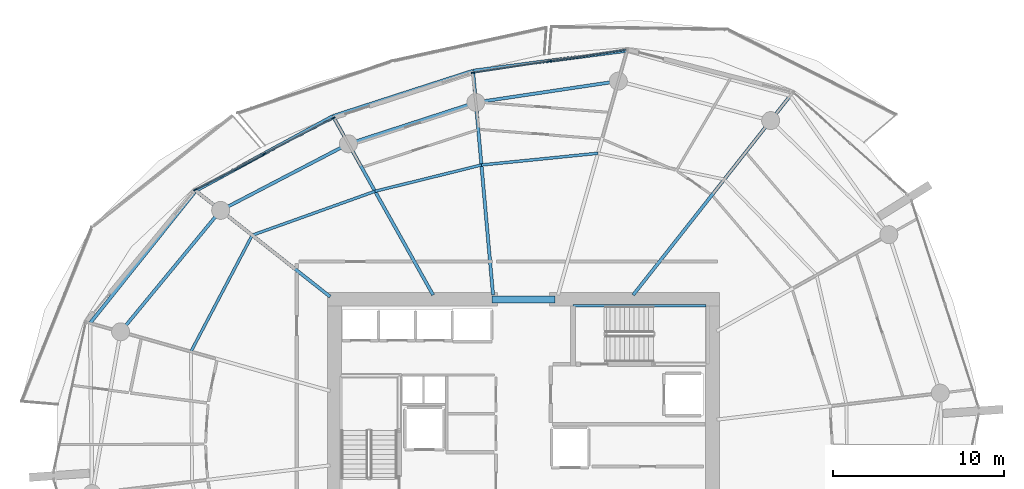
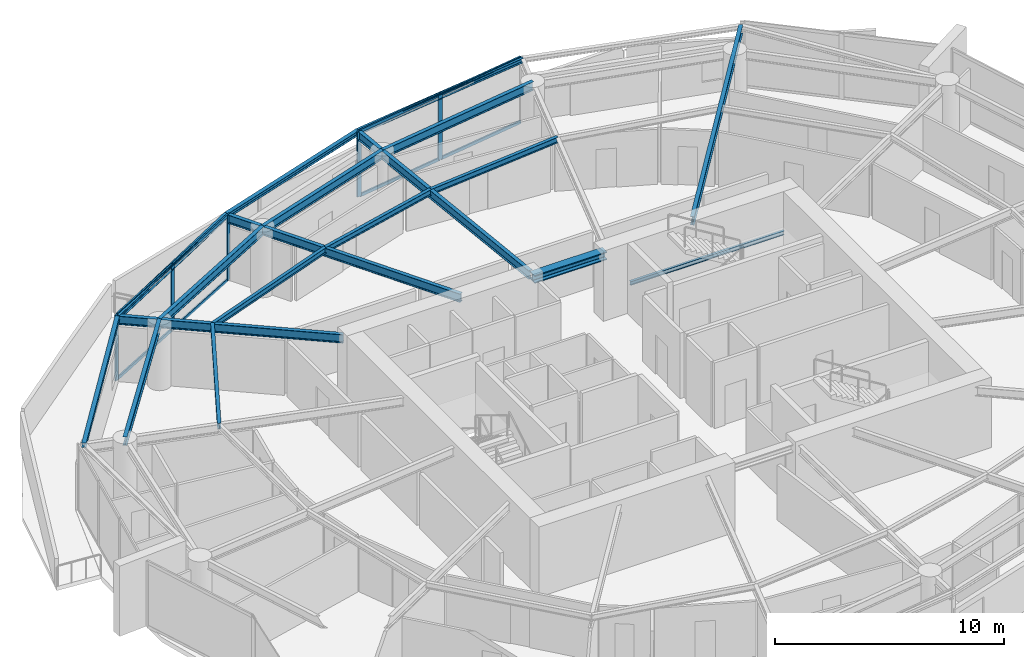
# One storey, part 8 of 20: 18 beams, 13 members, 2 elements without a shape of their own.
"""IFC4 building model written with IfcOpenShell, lengths in metres."""

from ifc_helpers import new_model, si_unit, direction, frame, origin, origin_2d, place, context, subcontext, project, spatial, rectangle, i_section, extrude, material, layer, layer_set, material_profile, profile_set, type_object, element, aggregate, save


model = new_model("IFC4")

# Units and contexts
model_context = context("Model", 3, precision=1e-05, world=origin(), true_north=direction((0.0, 1.0)))
body_context = subcontext(model_context, "Body", "Model", "MODEL_VIEW")
ifc_project = project(units=[si_unit("LENGTHUNIT", "METRE"), si_unit("AREAUNIT", "SQUARE_METRE"), si_unit("VOLUMEUNIT", "CUBIC_METRE"), si_unit("PLANEANGLEUNIT", "RADIAN"), si_unit("MASSUNIT", "GRAM", prefix="KILO")], contexts=[model_context])

# Site, building, storey
site_placement = place(None, origin())
site = spatial("IfcSite", under=ifc_project, at=site_placement, CompositionType="ELEMENT")
building_placement = place(site_placement, origin())
building = spatial("IfcBuilding", under=site, at=building_placement, Name="Kazma Halo Residences", CompositionType="ELEMENT")
storey_placement = place(building_placement, frame((0.0, 0.0, 142.800048828125)))
storey = spatial("IfcBuildingStorey", under=building, at=storey_placement, Name="L35", CompositionType="ELEMENT", Elevation=142.800048828125)

# Beams
ifc_material_1 = material(Name="Steel S355", Category="steel")
ifc_material_profile_1 = material_profile(ifc_material_1, i_section(OverallWidth=0.201904296875, OverallDepth=0.2470703125, WebThickness=0.00732421875, FlangeThickness=0.010986328125, FilletRadius=0.011962890625, at=origin_2d()), Name="W250x49.1")
ifc_profile_set_1 = profile_set([ifc_material_profile_1], Name="Steel S355")
beam_type_1 = type_object("IfcBeamType", Name="BM-BAL-CANT", PredefinedType="BEAM", material=ifc_profile_set_1)
beam_1_placement = place(storey_placement, frame((54.459228515625, 64.90234375, 3.37646484375), z_axis=(-0.991489228614, -0.130188745839, 0.0), x_axis=(0.130188745839, -0.991489228614, 0.0)))
element("IfcBeam", 1, at=beam_1_placement, inside=storey, type_object=beam_type_1, Name="L35 wave-balcony tie beam 03", PredefinedType="BEAM", context=body_context, shape_type="SweptSolid", body=[
    extrude(i_section(OverallWidth=0.201904296875, OverallDepth=0.2470703125, WebThickness=0.00732421875, FlangeThickness=0.010986328125, FilletRadius=0.011962890625, at=origin_2d()), origin(), (0.0, 0.0, 1.0), 9.053955078125),
])
beam_2_placement = place(storey_placement, frame((45.482421875, 63.7236328125, 3.37646484375), z_axis=(-0.951458235255, -0.307777885115, 0.0), x_axis=(0.307777885115, -0.951458235255, 0.0)))
element("IfcBeam", 2, at=beam_2_placement, inside=storey, type_object=beam_type_1, Name="L35 wave-balcony tie beam 04", PredefinedType="BEAM", context=body_context, shape_type="SweptSolid", body=[
    extrude(i_section(OverallWidth=0.201904296875, OverallDepth=0.2470703125, WebThickness=0.00732421875, FlangeThickness=0.010986328125, FilletRadius=0.011962890625, at=origin_2d()), origin(), (0.0, 0.0, 1.0), 8.585205078125),
])
beam_3_placement = place(storey_placement, frame((37.31396484375, 61.081298828125, 3.37646484375), z_axis=(-0.878572913315, -0.477608245312, 0.0), x_axis=(0.477608245312, -0.878572913315, 0.0)))
element("IfcBeam", 3, at=beam_3_placement, inside=storey, type_object=beam_type_1, Name="L35 wave-balcony tie beam 05", PredefinedType="BEAM", context=body_context, shape_type="SweptSolid", body=[
    extrude(i_section(OverallWidth=0.201904296875, OverallDepth=0.2470703125, WebThickness=0.00732421875, FlangeThickness=0.010986328125, FilletRadius=0.011962890625, at=origin_2d()), origin(), (0.0, 0.0, 1.0), 9.107177734375),
])
beam_4_placement = place(storey_placement, frame((29.312744140625, 56.731689453125, 3.37646484375), z_axis=(-0.623742400336, -0.781629975131, 0.0), x_axis=(0.781629975131, -0.623742400336, 0.0)))
element("IfcBeam", 4, at=beam_4_placement, inside=storey, type_object=beam_type_1, Name="L35 wave-balcony tie beam 06", PredefinedType="BEAM", context=body_context, shape_type="SweptSolid", body=[
    extrude(i_section(OverallWidth=0.201904296875, OverallDepth=0.2470703125, WebThickness=0.00732421875, FlangeThickness=0.010986328125, FilletRadius=0.011962890625, at=origin_2d()), origin(), (0.0, 0.0, 1.0), 9.880859375),
])
ifc_material_profile_2 = material_profile(ifc_material_1, i_section(OverallWidth=0.408935546875, OverallDepth=0.425048828125, WebThickness=0.03271484375, FlangeThickness=0.052490234375, FilletRadius=0.02001953125, at=origin_2d()), Name="W360x421")
ifc_profile_set_2 = profile_set([ifc_material_profile_2], Name="Steel S355")
beam_type_2 = type_object("IfcBeamType", Name="BM-CORE-W360H", PredefinedType="BEAM", material=ifc_profile_set_2)
beam_5_placement = place(storey_placement, frame((46.60009765625, 50.39990234375, 3.287353515625), z_axis=(1.0, 0.0, 0.0), x_axis=(0.0, 1.0, 0.0)))
element("IfcBeam", 5, at=beam_5_placement, inside=storey, type_object=beam_type_2, Name="L35 core coupling beam N", PredefinedType="BEAM", context=body_context, shape_type="SweptSolid", body=[
    extrude(i_section(OverallWidth=0.408935546875, OverallDepth=0.425048828125, WebThickness=0.03271484375, FlangeThickness=0.052490234375, FilletRadius=0.02001953125, at=origin_2d()), origin(), (0.0, 0.0, 1.0), 3.64990234375),
])
ifc_material_profile_3 = material_profile(ifc_material_1, i_section(OverallWidth=0.18994140625, OverallDepth=0.45703125, WebThickness=0.009033203125, FlangeThickness=0.014404296875, FilletRadius=0.01611328125, at=origin_2d()), Name="W460x74")
ifc_profile_set_3 = profile_set([ifc_material_profile_3], Name="Steel S355")
beam_type_3 = type_object("IfcBeamType", Name="BM-RAD-W460", PredefinedType="BEAM", material=ifc_profile_set_3)
beam_6_placement = place(storey_placement, frame((54.819091796875, 50.64990234375, 3.271484375), z_axis=(0.619094498239, 0.785316498139, 0.0), x_axis=(-0.785316498139, 0.619094498239, 0.0)))
element("IfcBeam", 6, at=beam_6_placement, inside=storey, type_object=beam_type_3, Name="L35 radial floor beam 02", PredefinedType="BEAM", context=body_context, shape_type="SweptSolid", body=[
    extrude(i_section(OverallWidth=0.18994140625, OverallDepth=0.45703125, WebThickness=0.009033203125, FlangeThickness=0.014404296875, FilletRadius=0.01611328125, at=origin_2d()), origin(), (0.0, 0.0, 1.0), 14.80517578125),
])
beam_7_placement = place(storey_placement, frame((46.64990234375, 50.64990234375, 3.271484375), z_axis=(-0.088945777727, 0.996036469525, 0.0), x_axis=(-0.996036469525, -0.088945777727, 0.0)))
element("IfcBeam", 7, at=beam_7_placement, inside=storey, type_object=beam_type_3, Name="L35 radial floor beam 04", PredefinedType="BEAM", context=body_context, shape_type="SweptSolid", body=[
    extrude(i_section(OverallWidth=0.18994140625, OverallDepth=0.45703125, WebThickness=0.009033203125, FlangeThickness=0.014404296875, FilletRadius=0.01611328125, at=origin_2d()), origin(), (0.0, 0.0, 1.0), 13.125732421875),
])
beam_8_placement = place(storey_placement, frame((43.15576171875, 50.64990234375, 3.271484375), z_axis=(-0.488617048735, 0.872498355119, 0.0), x_axis=(-0.872498355119, -0.488617048735, 0.0)))
element("IfcBeam", 8, at=beam_8_placement, inside=storey, type_object=beam_type_3, Name="L35 radial floor beam 05", PredefinedType="BEAM", context=body_context, shape_type="SweptSolid", body=[
    extrude(i_section(OverallWidth=0.18994140625, OverallDepth=0.45703125, WebThickness=0.009033203125, FlangeThickness=0.014404296875, FilletRadius=0.01611328125, at=origin_2d()), origin(), (0.0, 0.0, 1.0), 11.955810546875),
])
beam_9_placement = place(storey_placement, frame((37.14990234375, 50.553466796875, 3.271484375), z_axis=(-0.785321544409, 0.619088097032, 0.0), x_axis=(-0.619088097032, -0.785321544409, 0.0)))
element("IfcBeam", 9, at=beam_9_placement, inside=storey, type_object=beam_type_3, Name="L35 radial floor beam 06", PredefinedType="BEAM", context=body_context, shape_type="SweptSolid", body=[
    extrude(i_section(OverallWidth=0.18994140625, OverallDepth=0.45703125, WebThickness=0.009033203125, FlangeThickness=0.014404296875, FilletRadius=0.01611328125, at=origin_2d()), origin(), (0.0, 0.0, 1.0), 9.9794921875),
])
ifc_material_profile_4 = material_profile(ifc_material_1, i_section(OverallWidth=0.1650390625, OverallDepth=0.31005859375, WebThickness=0.005859375, FlangeThickness=0.009765625, FilletRadius=0.011962890625, at=origin_2d()), Name="W310x38.7")
ifc_profile_set_4 = profile_set([ifc_material_profile_4], Name="Steel S355")
beam_type_4 = type_object("IfcBeamType", Name="BM-SEC-W310B", PredefinedType="JOIST", material=ifc_profile_set_4)
beam_10_placement = place(storey_placement, frame((52.77099609375, 58.91650390625, 3.344970703125), z_axis=(-0.994979001613, -0.100083896557, 0.0), x_axis=(0.100083896557, -0.994979001613, 0.0)))
element("IfcBeam", 10, at=beam_10_placement, inside=storey, type_object=beam_type_4, Name="L35 circumferential floor joist 03", PredefinedType="JOIST", context=body_context, shape_type="SweptSolid", body=[
    extrude(i_section(OverallWidth=0.1650390625, OverallDepth=0.31005859375, WebThickness=0.005859375, FlangeThickness=0.009765625, FilletRadius=0.011962890625, at=origin_2d()), origin(), (0.0, 0.0, 1.0), 6.832763671875),
])
beam_11_placement = place(storey_placement, frame((45.97265625, 58.232666015625, 3.344970703125), z_axis=(-0.970830601663, -0.239766434004, 0.0), x_axis=(0.239766434004, -0.970830601663, 0.0)))
element("IfcBeam", 11, at=beam_11_placement, inside=storey, type_object=beam_type_4, Name="L35 circumferential floor joist 04", PredefinedType="JOIST", context=body_context, shape_type="SweptSolid", body=[
    extrude(i_section(OverallWidth=0.1650390625, OverallDepth=0.31005859375, WebThickness=0.005859375, FlangeThickness=0.009765625, FilletRadius=0.011962890625, at=origin_2d()), origin(), (0.0, 0.0, 1.0), 6.3916015625),
])
beam_12_placement = place(storey_placement, frame((39.767578125, 56.7001953125, 3.344970703125), z_axis=(-0.941534087973, -0.336917736525, 0.0), x_axis=(0.336917736525, -0.941534087973, 0.0)))
element("IfcBeam", 12, at=beam_12_placement, inside=storey, type_object=beam_type_4, Name="L35 circumferential floor joist 05", PredefinedType="JOIST", context=body_context, shape_type="SweptSolid", body=[
    extrude(i_section(OverallWidth=0.1650390625, OverallDepth=0.31005859375, WebThickness=0.005859375, FlangeThickness=0.009765625, FilletRadius=0.011962890625, at=origin_2d()), origin(), (0.0, 0.0, 1.0), 7.60791015625),
])
beam_13_placement = place(storey_placement, frame((32.6044921875, 54.136962890625, 3.344970703125), z_axis=(-0.466019257875, -0.884774576539, 0.0), x_axis=(0.884774576539, -0.466019257875, 0.0)))
element("IfcBeam", 13, at=beam_13_placement, inside=storey, type_object=beam_type_4, Name="L35 circumferential floor joist 06", PredefinedType="JOIST", context=body_context, shape_type="SweptSolid", body=[
    extrude(i_section(OverallWidth=0.1650390625, OverallDepth=0.31005859375, WebThickness=0.005859375, FlangeThickness=0.009765625, FilletRadius=0.011962890625, at=origin_2d()), origin(), (0.0, 0.0, 1.0), 7.670654296875),
])
ifc_material_profile_5 = material_profile(ifc_material_1, i_section(OverallWidth=0.18994140625, OverallDepth=0.45703125, WebThickness=0.009033203125, FlangeThickness=0.014404296875, FilletRadius=0.01611328125, at=origin_2d()), Name="W460x74")
ifc_profile_set_5 = profile_set([ifc_material_profile_5], Name="Steel S355")
beam_type_5 = type_object("IfcBeamType", Name="BM-SPN-W460", PredefinedType="BEAM", material=ifc_profile_set_5)
beam_14_placement = place(storey_placement, frame((53.95703125, 63.121826171875, 3.271484375), z_axis=(-0.989037147603, -0.147666924735, 0.0), x_axis=(0.147666924735, -0.989037147603, 0.0)))
element("IfcBeam", 14, at=beam_14_placement, inside=storey, type_object=beam_type_5, Name="L35 perimeter ring beam 03", PredefinedType="BEAM", context=body_context, shape_type="SweptSolid", body=[
    extrude(i_section(OverallWidth=0.18994140625, OverallDepth=0.45703125, WebThickness=0.009033203125, FlangeThickness=0.014404296875, FilletRadius=0.01611328125, at=origin_2d()), origin(), (0.0, 0.0, 1.0), 8.402099609375),
])
beam_15_placement = place(storey_placement, frame((45.64697265625, 61.881103515625, 3.271484375), z_axis=(-0.95105634578, -0.309017519167, 0.0), x_axis=(0.309017519167, -0.95105634578, 0.0)))
element("IfcBeam", 15, at=beam_15_placement, inside=storey, type_object=beam_type_5, Name="L35 perimeter ring beam 04", PredefinedType="BEAM", context=body_context, shape_type="SweptSolid", body=[
    extrude(i_section(OverallWidth=0.18994140625, OverallDepth=0.45703125, WebThickness=0.009033203125, FlangeThickness=0.014404296875, FilletRadius=0.01611328125, at=origin_2d()), origin(), (0.0, 0.0, 1.0), 7.811279296875),
])
beam_16_placement = place(storey_placement, frame((38.218017578125, 59.46728515625, 3.271484375), z_axis=(-0.886943099021, -0.461878706046, 0.0), x_axis=(0.461878706046, -0.886943099021, 0.0)))
element("IfcBeam", 16, at=beam_16_placement, inside=storey, type_object=beam_type_5, Name="L35 perimeter ring beam 05", PredefinedType="BEAM", context=body_context, shape_type="SweptSolid", body=[
    extrude(i_section(OverallWidth=0.18994140625, OverallDepth=0.45703125, WebThickness=0.009033203125, FlangeThickness=0.014404296875, FilletRadius=0.01611328125, at=origin_2d()), origin(), (0.0, 0.0, 1.0), 8.40234375),
])
beam_17_placement = place(storey_placement, frame((30.765625, 55.58642578125, 3.271484375), z_axis=(-0.636018723515, -0.771673624882, 0.0), x_axis=(0.771673624882, -0.636018723515, 0.0)))
element("IfcBeam", 17, at=beam_17_placement, inside=storey, type_object=beam_type_5, Name="L35 perimeter ring beam 06", PredefinedType="BEAM", context=body_context, shape_type="SweptSolid", body=[
    extrude(i_section(OverallWidth=0.18994140625, OverallDepth=0.45703125, WebThickness=0.009033203125, FlangeThickness=0.014404296875, FilletRadius=0.01611328125, at=origin_2d()), origin(), (0.0, 0.0, 1.0), 9.175048828125),
])
ifc_material_profile_6 = material_profile(ifc_material_1, i_section(OverallWidth=0.133056640625, OverallDepth=0.20703125, WebThickness=0.005859375, FlangeThickness=0.00830078125, FilletRadius=0.010009765625, at=origin_2d()), Name="W200x26.6")
ifc_profile_set_6 = profile_set([ifc_material_profile_6], Name="Steel S355")
beam_type_6 = type_object("IfcBeamType", Name="BM-TRIM-W200", PredefinedType="BEAM", material=ifc_profile_set_6)
beam_18_placement = place(storey_placement, frame((51.31005859375, 50.02001953125, 1.570068359375), z_axis=(1.0, 0.0, 0.0), x_axis=(0.0, 1.0, 0.0)))
element("IfcBeam", 18, at=beam_18_placement, inside=storey, type_object=beam_type_6, Name="L35 ST-02 landing north wall ledger", PredefinedType="BEAM", context=body_context, shape_type="SweptSolid", body=[
    extrude(i_section(OverallWidth=0.133056640625, OverallDepth=0.20703125, WebThickness=0.005859375, FlangeThickness=0.00830078125, FilletRadius=0.010009765625, at=origin_2d()), origin(), (0.0, 0.0, 1.0), 7.760009765625),
])

# Curtain wall, members
ifc_material_2 = material(Name="Aluminium AW-6063 T6 and Triple-Silver Low-E Glass", Category="aluminium")
ifc_layer = layer(ifc_material_2, 0.219970703125)
ifc_layer_set = layer_set([ifc_layer], Name="Aluminium AW-6063 T6 and Triple-Silver Low-E Glass")
curtain_wall_type = type_object("IfcCurtainWallType", Name="CW-SYS-4", PredefinedType="NOTDEFINED", material=ifc_layer_set)
curtain_wall_1_placement = place(storey_placement, origin())
curtain_wall_1 = element("IfcCurtainWall", 19, at=curtain_wall_1_placement, inside=storey, type_object=curtain_wall_type, Name="L35 unitised curtain wall B03", PredefinedType="NOTDEFINED")
ifc_material_3 = material(Name="Aluminium AW-6063 T6", Category="aluminium")
ifc_material_profile_7 = material_profile(ifc_material_3, rectangle(XDim=0.074951171875, YDim=0.219970703125, at=origin_2d()), Name="CWM-75x220")
ifc_profile_set_7 = profile_set([ifc_material_profile_7], Name="Aluminium AW-6063 T6")
member_type_1 = type_object("IfcMemberType", Name="CW-SYS-4-MUL", PredefinedType="MULLION", material=ifc_profile_set_7)
member_1_placement = place(storey_placement, frame((49.960205078125, 64.28857421875, 0.0), z_axis=(0.0, 0.0, 1.0), x_axis=(0.148821022686, -0.988864148004, 0.0)))
member_1 = element("IfcMember", 20, at=member_1_placement, type_object=member_type_1, Name="CWS-4 mullion 2", PredefinedType="MULLION", context=body_context, shape_type="SweptSolid", body=[
    extrude(rectangle(XDim=0.074951171875, YDim=0.219970703125, at=origin_2d()), origin(), (0.0, 0.0, 1.0), 3.5),
])
member_2_placement = place(storey_placement, frame((45.4794921875, 63.6142578125, 0.0), z_axis=(0.0, 0.0, 1.0), x_axis=(0.148821022686, -0.988864148004, 0.0)))
member_2 = element("IfcMember", 21, at=member_2_placement, type_object=member_type_1, Name="CWS-4 mullion 3", PredefinedType="MULLION", context=body_context, shape_type="SweptSolid", body=[
    extrude(rectangle(XDim=0.074951171875, YDim=0.219970703125, at=origin_2d()), origin(), (0.0, 0.0, 1.0), 3.5),
])

curtain_wall_2_placement = place(storey_placement, origin())
curtain_wall_2 = element("IfcCurtainWall", 22, at=curtain_wall_2_placement, inside=storey, type_object=curtain_wall_type, Name="L35 unitised curtain wall B05", PredefinedType="NOTDEFINED")
member_3_placement = place(storey_placement, frame((37.33447265625, 60.9677734375, 0.0), z_axis=(0.0, 0.0, 1.0), x_axis=(0.460837484552, -0.887484542306, 0.0)))
member_3 = element("IfcMember", 23, at=member_3_placement, type_object=member_type_1, Name="CWS-4 mullion 1", PredefinedType="MULLION", context=body_context, shape_type="SweptSolid", body=[
    extrude(rectangle(XDim=0.074951171875, YDim=0.219970703125, at=origin_2d()), origin(), (0.0, 0.0, 1.0), 3.5),
])
member_4_placement = place(storey_placement, frame((33.313232421875, 58.879638671875, 0.0), z_axis=(0.0, 0.0, 1.0), x_axis=(0.460837484552, -0.887484542306, 0.0)))
member_4 = element("IfcMember", 24, at=member_4_placement, type_object=member_type_1, Name="CWS-4 mullion 2", PredefinedType="MULLION", context=body_context, shape_type="SweptSolid", body=[
    extrude(rectangle(XDim=0.074951171875, YDim=0.219970703125, at=origin_2d()), origin(), (0.0, 0.0, 1.0), 3.5),
])
member_5_placement = place(storey_placement, frame((29.2919921875, 56.791748046875, 0.0), z_axis=(0.0, 0.0, 1.0), x_axis=(0.460837484552, -0.887484542306, 0.0)))
member_5 = element("IfcMember", 25, at=member_5_placement, type_object=member_type_1, Name="CWS-4 mullion 3", PredefinedType="MULLION", context=body_context, shape_type="SweptSolid", body=[
    extrude(rectangle(XDim=0.074951171875, YDim=0.219970703125, at=origin_2d()), origin(), (0.0, 0.0, 1.0), 3.5),
])

# Member
ifc_material_profile_8 = material_profile(ifc_material_3, rectangle(XDim=0.074951171875, YDim=0.1650390625, at=origin_2d()), Name="CWT-75x165")
ifc_profile_set_8 = profile_set([ifc_material_profile_8], Name="Aluminium AW-6063 T6")
member_type_2 = type_object("IfcMemberType", Name="CW-SYS-4-TRN", PredefinedType="USERDEFINED", material=ifc_profile_set_8)
member_6_placement = place(storey_placement, frame((54.403564453125, 64.957275390625, 0.037353515625), z_axis=(-0.988866721231, -0.148803923478, 0.0), x_axis=(0.148803923478, -0.988866721231, 0.0)))
member_6 = element("IfcMember", 26, at=member_6_placement, type_object=member_type_2, Name="CWS-4 transom 1.1", ObjectType="TRANSOM", PredefinedType="USERDEFINED", context=body_context, shape_type="SweptSolid", body=[
    extrude(rectangle(XDim=0.074951171875, YDim=0.1650390625, at=origin_2d()), origin(), (0.0, 0.0, 1.0), 4.4560546875),
])

member_7_placement = place(storey_placement, frame((54.403564453125, 64.957275390625, 3.46240234375), z_axis=(-0.988866721231, -0.148803923478, 0.0), x_axis=(0.148803923478, -0.988866721231, 0.0)))
member_7 = element("IfcMember", 27, at=member_7_placement, type_object=member_type_2, Name="CWS-4 transom 1.2", ObjectType="TRANSOM", PredefinedType="USERDEFINED", context=body_context, shape_type="SweptSolid", body=[
    extrude(rectangle(XDim=0.074951171875, YDim=0.1650390625, at=origin_2d()), origin(), (0.0, 0.0, 1.0), 4.4560546875),
])

member_8_placement = place(storey_placement, frame((49.923095703125, 64.282958984375, 0.037353515625), z_axis=(-0.988866721231, -0.148803923478, 0.0), x_axis=(0.148803923478, -0.988866721231, 0.0)))
member_8 = element("IfcMember", 28, at=member_8_placement, type_object=member_type_2, Name="CWS-4 transom 2.1", ObjectType="TRANSOM", PredefinedType="USERDEFINED", context=body_context, shape_type="SweptSolid", body=[
    extrude(rectangle(XDim=0.074951171875, YDim=0.1650390625, at=origin_2d()), origin(), (0.0, 0.0, 1.0), 4.4560546875),
])

member_9_placement = place(storey_placement, frame((49.923095703125, 64.282958984375, 3.46240234375), z_axis=(-0.988866721231, -0.148803923478, 0.0), x_axis=(0.148803923478, -0.988866721231, 0.0)))
member_9 = element("IfcMember", 29, at=member_9_placement, type_object=member_type_2, Name="CWS-4 transom 2.2", ObjectType="TRANSOM", PredefinedType="USERDEFINED", context=body_context, shape_type="SweptSolid", body=[
    extrude(rectangle(XDim=0.074951171875, YDim=0.1650390625, at=origin_2d()), origin(), (0.0, 0.0, 1.0), 4.4560546875),
])

aggregate(curtain_wall_1, [member_1, member_2, member_6, member_7, member_8, member_9])

member_10_placement = place(storey_placement, frame((37.30126953125, 60.950439453125, 0.037353515625), z_axis=(-0.887484872803, -0.460836848077, 0.0), x_axis=(0.460836848077, -0.887484872803, 0.0)))
member_10 = element("IfcMember", 30, at=member_10_placement, type_object=member_type_2, Name="CWS-4 transom 1.1", ObjectType="TRANSOM", PredefinedType="USERDEFINED", context=body_context, shape_type="SweptSolid", body=[
    extrude(rectangle(XDim=0.074951171875, YDim=0.1650390625, at=origin_2d()), origin(), (0.0, 0.0, 1.0), 4.4560546875),
])

member_11_placement = place(storey_placement, frame((37.30126953125, 60.950439453125, 3.46240234375), z_axis=(-0.887484872803, -0.460836848077, 0.0), x_axis=(0.460836848077, -0.887484872803, 0.0)))
member_11 = element("IfcMember", 31, at=member_11_placement, type_object=member_type_2, Name="CWS-4 transom 1.2", ObjectType="TRANSOM", PredefinedType="USERDEFINED", context=body_context, shape_type="SweptSolid", body=[
    extrude(rectangle(XDim=0.074951171875, YDim=0.1650390625, at=origin_2d()), origin(), (0.0, 0.0, 1.0), 4.4560546875),
])

member_12_placement = place(storey_placement, frame((33.280029296875, 58.862548828125, 0.037353515625), z_axis=(-0.887484872803, -0.460836848077, 0.0), x_axis=(0.460836848077, -0.887484872803, 0.0)))
member_12 = element("IfcMember", 32, at=member_12_placement, type_object=member_type_2, Name="CWS-4 transom 2.1", ObjectType="TRANSOM", PredefinedType="USERDEFINED", context=body_context, shape_type="SweptSolid", body=[
    extrude(rectangle(XDim=0.074951171875, YDim=0.1650390625, at=origin_2d()), origin(), (0.0, 0.0, 1.0), 4.4560546875),
])

member_13_placement = place(storey_placement, frame((33.280029296875, 58.862548828125, 3.46240234375), z_axis=(-0.887484872803, -0.460836848077, 0.0), x_axis=(0.460836848077, -0.887484872803, 0.0)))
member_13 = element("IfcMember", 33, at=member_13_placement, type_object=member_type_2, Name="CWS-4 transom 2.2", ObjectType="TRANSOM", PredefinedType="USERDEFINED", context=body_context, shape_type="SweptSolid", body=[
    extrude(rectangle(XDim=0.074951171875, YDim=0.1650390625, at=origin_2d()), origin(), (0.0, 0.0, 1.0), 4.4560546875),
])

aggregate(curtain_wall_2, [member_3, member_4, member_5, member_10, member_11, member_12, member_13])

save(model, "model.ifc")
